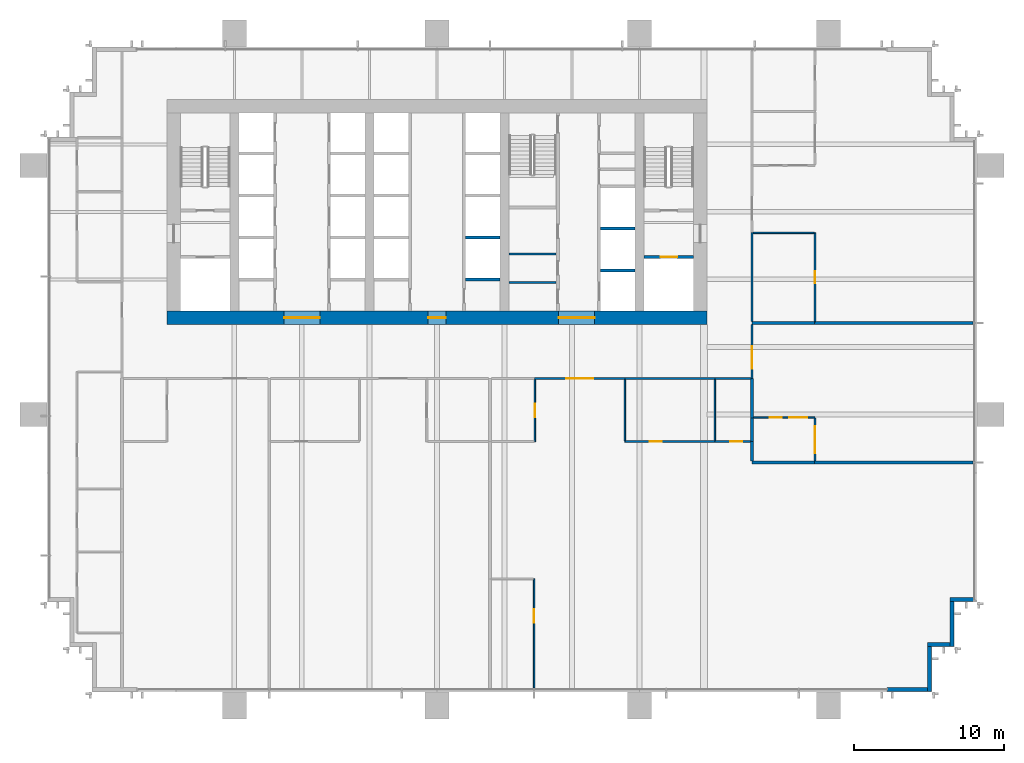
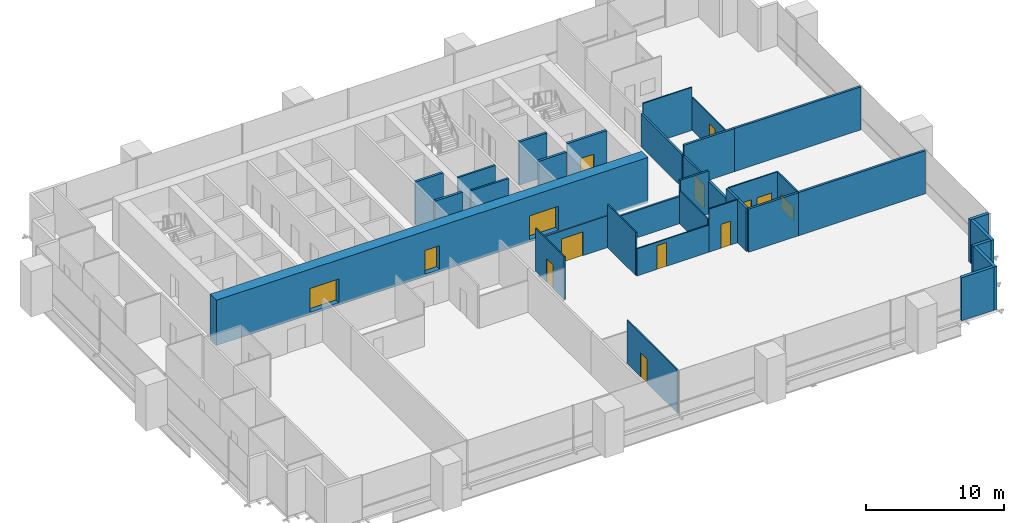
# One storey, part 13 of 17: 35 walls, 12 doors, 2 windows, 14 openings.
"""IFC4 building model written with IfcOpenShell, lengths in metres."""

from ifc_helpers import new_model, si_unit, direction, frame, frame_2d, origin, place, context, subcontext, project, spatial, rectangle, extrude, material, layer, layer_set, type_object, element, fill, save


model = new_model("IFC4")

# Units and contexts
model_context = context("Model", 3, precision=1e-05, world=origin(), true_north=direction((0.0, 1.0)))
body_context = subcontext(model_context, "Body", "Model", "MODEL_VIEW")
ifc_project = project(units=[si_unit("LENGTHUNIT", "METRE"), si_unit("AREAUNIT", "SQUARE_METRE"), si_unit("VOLUMEUNIT", "CUBIC_METRE"), si_unit("PLANEANGLEUNIT", "RADIAN"), si_unit("MASSUNIT", "GRAM", prefix="KILO")], contexts=[model_context])

# Site, building, storey
site_placement = place(None, origin())
site = spatial("IfcSite", under=ifc_project, at=site_placement, CompositionType="ELEMENT")
building_placement = place(site_placement, origin())
building = spatial("IfcBuilding", under=site, at=building_placement, Name="Rattan Terrace Tower", CompositionType="ELEMENT")
storey_placement = place(building_placement, frame((0.0, 0.0, 83.699951171875)))
storey = spatial("IfcBuildingStorey", under=building, at=storey_placement, Name="L18", CompositionType="ELEMENT", Elevation=83.699951171875)

# Walls
ifc_material_1 = material(Name="Gypsum board partition")
ifc_layer_1 = layer(ifc_material_1, 0.14990234375)
ifc_layer_set_1 = layer_set([ifc_layer_1], Name="Core partition 150")
wall_type_1 = type_object("IfcWallType", Name="Core partition 150", PredefinedType="PARTITIONING", material=ifc_layer_set_1)
for number, where, z_axis, x_axis, name in (
    (1, (4.800048828125, -4.696044921875, 0.0), (0.0, 0.0, 1.0), (1.0, 0.0, 0.0), "Toilet wall"),
    (2, (4.800048828125, -2.7919921875, 0.0), (0.0, 0.0, 1.0), (1.0, 0.0, 0.0), "Toilet wall"),
):
    element("IfcWall", number, at=place(storey_placement, frame(where, z_axis=z_axis, x_axis=x_axis)), inside=storey, type_object=wall_type_1, Name=name, PredefinedType="PARTITIONING", context=body_context, shape_type="SweptSolid", body=[
        extrude(rectangle(XDim=3.14990234375, YDim=0.14990234375, at=frame_2d((1.574951171875, 0.0))), origin(), (0.0, 0.0, 1.0), 3.800048828125),
    ])

# Wall, opening, door
ifc_material_2 = material(Name="Gypsum board partition")
ifc_layer_2 = layer(ifc_material_2, 0.199951171875)
ifc_layer_set_2 = layer_set([ifc_layer_2], Name="Core partition 200")
wall_type_2 = type_object("IfcWallType", Name="Core partition 200", PredefinedType="PARTITIONING", material=ifc_layer_set_2)
wall_1_placement = place(storey_placement, frame((13.800048828125, -3.0, 0.0), z_axis=(0.0, 0.0, 1.0), x_axis=(1.0, 0.0, 0.0)))
wall_1 = element("IfcWall", 3, at=wall_1_placement, inside=storey, type_object=wall_type_2, Name="Fire-fighting lobby wall", PredefinedType="PARTITIONING", context=body_context, shape_type="SweptSolid", body=[
    extrude(rectangle(XDim=3.300048828125, YDim=0.199951171875, at=frame_2d((1.64990234375, 0.0))), origin(), (0.0, 0.0, 1.0), 3.800048828125),
])
opening_1_placement = place(wall_1_placement, frame((1.10009765625, 0.0, 0.0)))
opening_1 = element("IfcOpeningElement", 4, at=opening_1_placement, cuts=wall_1, Name="Opening L18-LD-FF2", PredefinedType="OPENING", context=body_context, shape_type="SweptSolid", body=[
    extrude(rectangle(XDim=1.10009765625, YDim=2.10009765625, at=frame_2d((0.550048828125, 1.050048828125))), frame((0.0, 0.110595703125, 0.0), z_axis=(0.0, -1.0, 0.0), x_axis=(1.0, 0.0, 0.0)), (0.0, 0.0, 1.0), 0.220947265625),
])
ifc_material_3 = material(Name="Brushed stainless landing door panel")
door_type_1 = type_object("IfcDoorType", Name="Core lift landing door 1100", OperationType="DOUBLE_DOOR_SLIDING", PredefinedType="DOOR", material=ifc_material_3)
door_1_placement = place(opening_1_placement, origin())
door_1 = element("IfcDoor", 5, at=door_1_placement, inside=storey, type_object=door_type_1, Name="Door L18-LD-FF2", OperationType="DOUBLE_DOOR_SLIDING", OverallHeight=2.10009765625, OverallWidth=1.10009765625, PredefinedType="DOOR", context=body_context, shape_type="SweptSolid", body=[
    extrude(rectangle(XDim=1.10009765625, YDim=2.10009765625, at=frame_2d((0.550048828125, 1.050048828125))), frame((0.0, 0.02490234375, 0.0), z_axis=(0.0, -1.0, 0.0), x_axis=(1.0, 0.0, 0.0)), (0.0, 0.0, 1.0), 0.050048828125),
])
fill(opening_1, door_1)

# Wall, openings, doors
ifc_material_4 = material(Name="Concrete C70/85", Category="concrete")
ifc_layer_3 = layer(ifc_material_4, 0.89990234375)
ifc_layer_set_3 = layer_set([ifc_layer_3], Name="Core ring wall 900 C70/85")
wall_type_3 = type_object("IfcWallType", Name="Core ring wall 900 C70/85", PredefinedType="SHEAR", material=ifc_layer_set_3)
wall_2_placement = place(storey_placement, frame((-18.0, -7.050048828125, -0.199951171875), z_axis=(0.0, 0.0, 1.0), x_axis=(1.0, 0.0, 0.0)))
wall_2 = element("IfcWall", 6, at=wall_2_placement, inside=storey, type_object=wall_type_3, Name="Rear core wall south", PredefinedType="SHEAR", context=body_context, shape_type="SweptSolid", body=[
    extrude(rectangle(XDim=36.0, YDim=0.89990234375, at=frame_2d((18.0, 0.0))), origin(), (0.0, 0.0, 1.0), 4.0),
])
opening_2_placement = place(wall_2_placement, frame((7.800048828125, 0.0, 0.199951171875)))
opening_2 = element("IfcOpeningElement", 7, at=opening_2_placement, cuts=wall_2, Name="Opening L18-D007", PredefinedType="OPENING", context=body_context, shape_type="SweptSolid", body=[
    extrude(rectangle(XDim=2.39990234375, YDim=2.10009765625, at=frame_2d((1.199951171875, 1.050048828125))), frame((0.0, 0.46044921875, 0.0), z_axis=(0.0, -1.0, 0.0), x_axis=(1.0, 0.0, 0.0)), (0.0, 0.0, 1.0), 0.9208984375),
])
opening_3_placement = place(wall_2_placement, frame((17.39990234375, 0.0, 0.199951171875)))
opening_3 = element("IfcOpeningElement", 8, at=opening_3_placement, cuts=wall_2, Name="Opening L18-D010", PredefinedType="OPENING", context=body_context, shape_type="SweptSolid", body=[
    extrude(rectangle(XDim=1.199951171875, YDim=2.10009765625, at=frame_2d((0.60009765625, 1.050048828125))), frame((0.0, 0.46044921875, 0.0), z_axis=(0.0, -1.0, 0.0), x_axis=(1.0, 0.0, 0.0)), (0.0, 0.0, 1.0), 0.9208984375),
])
opening_4_placement = place(wall_2_placement, frame((26.10009765625, 0.0, 0.199951171875)))
opening_4 = element("IfcOpeningElement", 9, at=opening_4_placement, cuts=wall_2, Name="Opening L18-D015", PredefinedType="OPENING", context=body_context, shape_type="SweptSolid", body=[
    extrude(rectangle(XDim=2.39990234375, YDim=2.10009765625, at=frame_2d((1.199951171875, 1.050048828125))), frame((0.0, 0.46044921875, 0.0), z_axis=(0.0, -1.0, 0.0), x_axis=(1.0, 0.0, 0.0)), (0.0, 0.0, 1.0), 0.9208984375),
])
ifc_material_5 = material(Name="Hollow-metal fire door leaf")
door_type_2 = type_object("IfcDoorType", Name="Core lift lobby door 2400", OperationType="NOTDEFINED", PredefinedType="DOOR", material=ifc_material_5)
door_2_placement = place(opening_2_placement, origin())
door_2 = element("IfcDoor", 10, at=door_2_placement, inside=storey, type_object=door_type_2, Name="Door L18-D007", OperationType="DOUBLE_DOOR_DOUBLE_SWING", OverallHeight=2.10009765625, OverallWidth=2.39990234375, PredefinedType="DOOR", context=body_context, shape_type="SweptSolid", body=[
    extrude(rectangle(XDim=2.39990234375, YDim=2.10009765625, at=frame_2d((1.199951171875, 1.050048828125))), frame((0.0, 0.02490234375, 0.0), z_axis=(0.0, -1.0, 0.0), x_axis=(1.0, 0.0, 0.0)), (0.0, 0.0, 1.0), 0.050048828125),
])
fill(opening_2, door_2)
door_3_placement = place(opening_4_placement, origin())
door_3 = element("IfcDoor", 11, at=door_3_placement, inside=storey, type_object=door_type_2, Name="Door L18-D015", OperationType="DOUBLE_DOOR_DOUBLE_SWING", OverallHeight=2.10009765625, OverallWidth=2.39990234375, PredefinedType="DOOR", context=body_context, shape_type="SweptSolid", body=[
    extrude(rectangle(XDim=2.39990234375, YDim=2.10009765625, at=frame_2d((1.199951171875, 1.050048828125))), frame((0.0, 0.02490234375, 0.0), z_axis=(0.0, -1.0, 0.0), x_axis=(1.0, 0.0, 0.0)), (0.0, 0.0, 1.0), 0.050048828125),
])
fill(opening_4, door_3)
ifc_material_6 = material(Name="Hollow-metal fire door leaf")
door_type_3 = type_object("IfcDoorType", Name="Core riser door 1200", OperationType="NOTDEFINED", PredefinedType="DOOR", material=ifc_material_6)
door_4_placement = place(opening_3_placement, origin())
door_4 = element("IfcDoor", 12, at=door_4_placement, inside=storey, type_object=door_type_3, Name="Door L18-D010", OperationType="SINGLE_SWING_RIGHT", OverallHeight=2.10009765625, OverallWidth=1.199951171875, PredefinedType="DOOR", context=body_context, shape_type="SweptSolid", body=[
    extrude(rectangle(XDim=1.199951171875, YDim=2.10009765625, at=frame_2d((0.60009765625, 1.050048828125))), frame((0.0, 0.02490234375, 0.0), z_axis=(0.0, -1.0, 0.0), x_axis=(1.0, 0.0, 0.0)), (0.0, 0.0, 1.0), 0.050048828125),
])
fill(opening_3, door_4)

# Walls
ifc_material_7 = material(Name="Insulated aluminium-clad stud wall", Category="aluminium")
ifc_layer_4 = layer(ifc_material_7, 0.25)
ifc_layer_set_4 = layer_set([ifc_layer_4], Name="Facade Riser Wall 250")
wall_type_4 = type_object("IfcWallType", Name="Facade Riser Wall 250", PredefinedType="SOLIDWALL", material=ifc_layer_set_4)
wall_3_placement = place(storey_placement, frame((30.0, -31.830078125, 0.0), z_axis=(0.0, 0.0, 1.0), x_axis=(1.0, 0.0, 0.0)))
element("IfcWall", 13, at=wall_3_placement, inside=storey, type_object=wall_type_4, Name="Riser wall L18-1", PredefinedType="SOLIDWALL", context=body_context, shape_type="SweptSolid", body=[
    extrude(rectangle(XDim=2.705078125, YDim=0.25, at=frame_2d((1.3525390625, 0.0))), origin(), (0.0, 0.0, 1.0), 3.800048828125),
])
wall_4_placement = place(storey_placement, frame((32.830078125, -31.955078125, 0.0), z_axis=(0.0, 0.0, 1.0), x_axis=(0.0, 1.0, 0.0)))
element("IfcWall", 14, at=wall_4_placement, inside=storey, type_object=wall_type_4, Name="Riser wall L18-2", PredefinedType="SOLIDWALL", context=body_context, shape_type="SweptSolid", body=[
    extrude(rectangle(XDim=3.0, YDim=0.25, at=frame_2d((1.5, 0.0))), origin(), (0.0, 0.0, 1.0), 3.800048828125),
])
wall_5_placement = place(storey_placement, frame((32.705078125, -28.830078125, 0.0), z_axis=(0.0, 0.0, 1.0), x_axis=(1.0, 0.0, 0.0)))
element("IfcWall", 15, at=wall_5_placement, inside=storey, type_object=wall_type_4, Name="Riser wall L18-3", PredefinedType="SOLIDWALL", context=body_context, shape_type="SweptSolid", body=[
    extrude(rectangle(XDim=1.5, YDim=0.25, at=frame_2d((0.75, 0.0))), origin(), (0.0, 0.0, 1.0), 3.800048828125),
])
wall_6_placement = place(storey_placement, frame((34.330078125, -28.955078125, 0.0), z_axis=(0.0, 0.0, 1.0), x_axis=(0.0, 1.0, 0.0)))
element("IfcWall", 16, at=wall_6_placement, inside=storey, type_object=wall_type_4, Name="Riser wall L18-4", PredefinedType="SOLIDWALL", context=body_context, shape_type="SweptSolid", body=[
    extrude(rectangle(XDim=3.0, YDim=0.25, at=frame_2d((1.5, 0.0))), origin(), (0.0, 0.0, 1.0), 3.800048828125),
])
wall_7_placement = place(storey_placement, frame((34.205078125, -25.830078125, 0.0), z_axis=(0.0, 0.0, 1.0), x_axis=(1.0, 0.0, 0.0)))
element("IfcWall", 17, at=wall_7_placement, inside=storey, type_object=wall_type_4, Name="Riser wall L18-5", PredefinedType="SOLIDWALL", context=body_context, shape_type="SweptSolid", body=[
    extrude(rectangle(XDim=1.544921875, YDim=0.25, at=frame_2d((0.7724609375, 0.0))), origin(), (0.0, 0.0, 1.0), 3.800048828125),
])
ifc_material_8 = material(Name="Double steel stud acoustic partition, gypsum board, mineral wool, fire rated", Category="steel")
ifc_layer_5 = layer(ifc_material_8, 0.179931640625)
ifc_layer_set_5 = layer_set([ifc_layer_5], Name="Floors Acoustic Party Wall 180")
wall_type_5 = type_object("IfcWallType", Name="Floors Acoustic Party Wall 180", PredefinedType="PARTITIONING", material=ifc_layer_set_5)
wall_8_placement = place(storey_placement, frame((25.179931640625, -16.699951171875, 0.0), z_axis=(0.0, 0.0, 1.0), x_axis=(1.0, 0.0, 0.0)))
element("IfcWall", 18, at=wall_8_placement, inside=storey, type_object=wall_type_5, Name="pt-L18-055", PredefinedType="PARTITIONING", context=body_context, shape_type="SweptSolid", body=[
    extrude(rectangle(XDim=10.56005859375, YDim=0.179931640625, at=frame_2d((5.280029296875, 0.0))), origin(), (0.0, 0.0, 1.0), 3.800048828125),
])
wall_9_placement = place(storey_placement, frame((20.9990234375, -15.300048828125, 0.0), z_axis=(0.0, 0.0, 1.0), x_axis=(0.0, -1.0, 0.0)))
element("IfcWall", 19, at=wall_9_placement, inside=storey, type_object=wall_type_5, Name="pt-L18-056", PredefinedType="PARTITIONING", context=body_context, shape_type="SweptSolid", body=[
    extrude(rectangle(XDim=1.31005859375, YDim=0.179931640625, at=frame_2d((0.655029296875, 0.0))), origin(), (0.0, 0.0, 1.0), 3.800048828125),
])
wall_10_placement = place(storey_placement, frame((21.0, -16.699951171875, 0.0), z_axis=(0.0, 0.0, 1.0), x_axis=(1.0, 0.0, 0.0)))
element("IfcWall", 20, at=wall_10_placement, inside=storey, type_object=wall_type_5, Name="pt-L18-057", PredefinedType="PARTITIONING", context=body_context, shape_type="SweptSolid", body=[
    extrude(rectangle(XDim=4.179931640625, YDim=0.179931640625, at=frame_2d((2.08984375, 0.0))), origin(), (0.0, 0.0, 1.0), 3.800048828125),
])
wall_11_placement = place(storey_placement, frame((21.0, -11.10009765625, 0.0), z_axis=(0.0, 0.0, 1.0), x_axis=(0.0, -1.0, 0.0)))
element("IfcWall", 21, at=wall_11_placement, inside=storey, type_object=wall_type_5, Name="pt-L18-059", PredefinedType="PARTITIONING", context=body_context, shape_type="SweptSolid", body=[
    extrude(rectangle(XDim=2.619873046875, YDim=0.179931640625, at=frame_2d((1.31005859375, 0.0))), origin(), (0.0, 0.0, 1.0), 2.900146484375),
])
wall_12_placement = place(storey_placement, frame((21.0, -13.719970703125, 0.0), z_axis=(0.0, 0.0, 1.0), x_axis=(0.0, -1.0, 0.0)))
element("IfcWall", 22, at=wall_12_placement, inside=storey, type_object=wall_type_5, Name="pt-L18-060", PredefinedType="PARTITIONING", context=body_context, shape_type="SweptSolid", body=[
    extrude(rectangle(XDim=1.580078125, YDim=0.179931640625, at=frame_2d((0.7900390625, 0.0))), origin(), (0.0, 0.0, 1.0), 3.800048828125),
])
wall_13_placement = place(storey_placement, frame((25.179931640625, -7.39990234375, 0.0), z_axis=(0.0, 0.0, 1.0), x_axis=(1.0, 0.0, 0.0)))
element("IfcWall", 23, at=wall_13_placement, inside=storey, type_object=wall_type_5, Name="pt-L18-063", PredefinedType="PARTITIONING", context=body_context, shape_type="SweptSolid", body=[
    extrude(rectangle(XDim=10.56005859375, YDim=0.179931640625, at=frame_2d((5.280029296875, 0.0))), origin(), (0.0, 0.0, 1.0), 3.800048828125),
])
wall_14_placement = place(storey_placement, frame((21.0, -7.39990234375, 0.0), z_axis=(0.0, 0.0, 1.0), x_axis=(1.0, 0.0, 0.0)))
element("IfcWall", 24, at=wall_14_placement, inside=storey, type_object=wall_type_5, Name="pt-L18-064", PredefinedType="PARTITIONING", context=body_context, shape_type="SweptSolid", body=[
    extrude(rectangle(XDim=4.179931640625, YDim=0.179931640625, at=frame_2d((2.08984375, 0.0))), origin(), (0.0, 0.0, 1.0), 3.800048828125),
])

# Wall, opening, door
ifc_material_9 = material(Name="Gypsum board partition on steel studs", Category="steel")
ifc_layer_6 = layer(ifc_material_9, 0.10009765625)
ifc_layer_set_6 = layer_set([ifc_layer_6], Name="Floors Partition 100")
wall_type_6 = type_object("IfcWallType", Name="Floors Partition 100", PredefinedType="PARTITIONING", material=ifc_layer_set_6)
wall_15_placement = place(storey_placement, frame((6.470947265625, -31.739990234375, 0.0), z_axis=(0.0, 0.0, 1.0), x_axis=(0.0, 1.0, 0.0)))
wall_15 = element("IfcWall", 25, at=wall_15_placement, inside=storey, type_object=wall_type_6, Name="pt-L18-049", PredefinedType="PARTITIONING", context=body_context, shape_type="SweptSolid", body=[
    extrude(rectangle(XDim=7.280029296875, YDim=0.10009765625, at=frame_2d((3.64013671875, 0.0))), origin(), (0.0, 0.0, 1.0), 3.800048828125),
])
opening_5_placement = place(wall_15_placement, frame((4.365966796875, 0.0, 0.0)))
opening_5 = element("IfcOpeningElement", 26, at=opening_5_placement, cuts=wall_15, Name="Opening L18-D112", PredefinedType="OPENING", context=body_context, shape_type="SweptSolid", body=[
    extrude(rectangle(XDim=0.89990234375, YDim=2.10009765625, at=frame_2d((0.449951171875, 1.050048828125))), frame((0.0, 0.060546875, 0.0), z_axis=(0.0, -1.0, 0.0), x_axis=(1.0, 0.0, 0.0)), (0.0, 0.0, 1.0), 0.12109375),
])
ifc_material_10 = material(Name="Solid core timber door, painted", Category="wood")
door_type_4 = type_object("IfcDoorType", Name="Floors Door 900x2100", OperationType="NOTDEFINED", PredefinedType="DOOR", material=ifc_material_10)
door_5_placement = place(opening_5_placement, origin())
door_5 = element("IfcDoor", 27, at=door_5_placement, inside=storey, type_object=door_type_4, Name="d-L18-112", OperationType="SINGLE_SWING_RIGHT", OverallHeight=2.10009765625, OverallWidth=0.89990234375, PredefinedType="DOOR", context=body_context, shape_type="SweptSolid", body=[
    extrude(rectangle(XDim=0.89990234375, YDim=2.10009765625, at=frame_2d((0.449951171875, 1.050048828125))), frame((0.0, 0.02490234375, 0.0), z_axis=(0.0, -1.0, 0.0), x_axis=(1.0, 0.0, 0.0)), (0.0, 0.0, 1.0), 0.050048828125),
])
fill(opening_5, door_5)

wall_16_placement = place(storey_placement, frame((6.529052734375, -15.300048828125, 0.0), z_axis=(0.0, 0.0, 1.0), x_axis=(0.0, 1.0, 0.0)))
wall_16 = element("IfcWall", 28, at=wall_16_placement, inside=storey, type_object=wall_type_6, Name="pt-L18-051", PredefinedType="PARTITIONING", context=body_context, shape_type="SweptSolid", body=[
    extrude(rectangle(XDim=4.125, YDim=0.10009765625, at=frame_2d((2.0625, 0.0))), origin(), (0.0, 0.0, 1.0), 3.800048828125),
])
opening_6_placement = place(wall_16_placement, frame((1.613037109375, 0.0, 0.0)))
opening_6 = element("IfcOpeningElement", 29, at=opening_6_placement, cuts=wall_16, Name="Opening L18-D113", PredefinedType="OPENING", context=body_context, shape_type="SweptSolid", body=[
    extrude(rectangle(XDim=0.89990234375, YDim=2.10009765625, at=frame_2d((0.449951171875, 1.050048828125))), frame((0.0, 0.060546875, 0.0), z_axis=(0.0, -1.0, 0.0), x_axis=(1.0, 0.0, 0.0)), (0.0, 0.0, 1.0), 0.12109375),
])
door_6_placement = place(opening_6_placement, origin())
door_6 = element("IfcDoor", 30, at=door_6_placement, inside=storey, type_object=door_type_4, Name="d-L18-113", OperationType="SINGLE_SWING_RIGHT", OverallHeight=2.10009765625, OverallWidth=0.89990234375, PredefinedType="DOOR", context=body_context, shape_type="SweptSolid", body=[
    extrude(rectangle(XDim=0.89990234375, YDim=2.10009765625, at=frame_2d((0.449951171875, 1.050048828125))), frame((0.0, 0.02490234375, 0.0), z_axis=(0.0, -1.0, 0.0), x_axis=(1.0, 0.0, 0.0)), (0.0, 0.0, 1.0), 0.050048828125),
])
fill(opening_6, door_6)

# Wall
wall_17_placement = place(storey_placement, frame((12.529052734375, -11.175048828125, 0.0), z_axis=(0.0, 0.0, 1.0), x_axis=(0.0, -1.0, 0.0)))
element("IfcWall", 31, at=wall_17_placement, inside=storey, type_object=wall_type_6, Name="pt-L18-052", PredefinedType="PARTITIONING", context=body_context, shape_type="SweptSolid", body=[
    extrude(rectangle(XDim=4.074951171875, YDim=0.10009765625, at=frame_2d((2.03759765625, 0.0))), origin(), (0.0, 0.0, 1.0), 3.800048828125),
])

# Wall, opening, door
wall_18_placement = place(storey_placement, frame((12.529052734375, -15.300048828125, 0.0), z_axis=(0.0, 0.0, 1.0), x_axis=(1.0, 0.0, 0.0)))
wall_18 = element("IfcWall", 32, at=wall_18_placement, inside=storey, type_object=wall_type_6, Name="pt-L18-053", PredefinedType="PARTITIONING", context=body_context, shape_type="SweptSolid", body=[
    extrude(rectangle(XDim=6.02001953125, YDim=0.10009765625, at=frame_2d((3.010009765625, 0.0))), origin(), (0.0, 0.0, 1.0), 2.400146484375),
])
opening_7_placement = place(wall_18_placement, frame((1.666015625, 0.0, 0.0)))
opening_7 = element("IfcOpeningElement", 33, at=opening_7_placement, cuts=wall_18, Name="Opening L18-D114", PredefinedType="OPENING", context=body_context, shape_type="SweptSolid", body=[
    extrude(rectangle(XDim=0.800048828125, YDim=2.10009765625, at=frame_2d((0.39990234375, 1.050048828125))), frame((0.0, 0.060546875, 0.0), z_axis=(0.0, -1.0, 0.0), x_axis=(1.0, 0.0, 0.0)), (0.0, 0.0, 1.0), 0.12109375),
])
ifc_material_11 = material(Name="Solid core timber door, painted", Category="wood")
door_type_5 = type_object("IfcDoorType", Name="Floors Store Door 800x2100", OperationType="NOTDEFINED", PredefinedType="DOOR", material=ifc_material_11)
door_7_placement = place(opening_7_placement, origin())
door_7 = element("IfcDoor", 34, at=door_7_placement, inside=storey, type_object=door_type_5, Name="d-L18-114", OperationType="SINGLE_SWING_LEFT", OverallHeight=2.10009765625, OverallWidth=0.800048828125, PredefinedType="DOOR", context=body_context, shape_type="SweptSolid", body=[
    extrude(rectangle(XDim=0.800048828125, YDim=2.10009765625, at=frame_2d((0.39990234375, 1.050048828125))), frame((0.0, 0.02490234375, 0.0), z_axis=(0.0, -1.0, 0.0), x_axis=(1.0, 0.0, 0.0)), (0.0, 0.0, 1.0), 0.050048828125),
])
fill(opening_7, door_7)

wall_19_placement = place(storey_placement, frame((18.549072265625, -15.300048828125, 0.0), z_axis=(0.0, 0.0, 1.0), x_axis=(1.0, 0.0, 0.0)))
wall_19 = element("IfcWall", 35, at=wall_19_placement, inside=storey, type_object=wall_type_6, Name="pt-L18-054", PredefinedType="PARTITIONING", context=body_context, shape_type="SweptSolid", body=[
    extrude(rectangle(XDim=2.36083984375, YDim=0.10009765625, at=frame_2d((1.180419921875, 0.0))), origin(), (0.0, 0.0, 1.0), 3.800048828125),
])
opening_8_placement = place(wall_19_placement, frame((0.992919921875, 0.0, 0.0)))
opening_8 = element("IfcOpeningElement", 36, at=opening_8_placement, cuts=wall_19, Name="Opening L18-D115", PredefinedType="OPENING", context=body_context, shape_type="SweptSolid", body=[
    extrude(rectangle(XDim=0.800048828125, YDim=2.10009765625, at=frame_2d((0.39990234375, 1.050048828125))), frame((0.0, 0.060546875, 0.0), z_axis=(0.0, -1.0, 0.0), x_axis=(1.0, 0.0, 0.0)), (0.0, 0.0, 1.0), 0.12109375),
])
door_8_placement = place(opening_8_placement, origin())
door_8 = element("IfcDoor", 37, at=door_8_placement, inside=storey, type_object=door_type_5, Name="d-L18-115", OperationType="SINGLE_SWING_RIGHT", OverallHeight=2.10009765625, OverallWidth=0.800048828125, PredefinedType="DOOR", context=body_context, shape_type="SweptSolid", body=[
    extrude(rectangle(XDim=0.800048828125, YDim=2.10009765625, at=frame_2d((0.39990234375, 1.050048828125))), frame((0.0, 0.02490234375, 0.0), z_axis=(0.0, -1.0, 0.0), x_axis=(1.0, 0.0, 0.0)), (0.0, 0.0, 1.0), 0.050048828125),
])
fill(opening_8, door_8)

# Wall
wall_20_placement = place(storey_placement, frame((18.529052734375, -11.175048828125, 0.0), z_axis=(0.0, 0.0, 1.0), x_axis=(0.0, -1.0, 0.0)))
element("IfcWall", 38, at=wall_20_placement, inside=storey, type_object=wall_type_6, Name="pt-L18-058", PredefinedType="PARTITIONING", context=body_context, shape_type="SweptSolid", body=[
    extrude(rectangle(XDim=4.074951171875, YDim=0.10009765625, at=frame_2d((2.03759765625, 0.0))), origin(), (0.0, 0.0, 1.0), 2.900146484375),
])

# Wall, openings, door, window
wall_21_placement = place(storey_placement, frame((25.199951171875, -13.699951171875, 0.0), z_axis=(0.0, 0.0, 1.0), x_axis=(-1.0, 0.0, 0.0)))
wall_21 = element("IfcWall", 39, at=wall_21_placement, inside=storey, type_object=wall_type_6, Name="pt-L18-061", PredefinedType="PARTITIONING", context=body_context, shape_type="SweptSolid", body=[
    extrude(rectangle(XDim=4.10986328125, YDim=0.10009765625, at=frame_2d((2.054931640625, 0.0))), origin(), (0.0, 0.0, 1.0), 3.800048828125),
])
opening_9_placement = place(wall_21_placement, frame((2.217041015625, 0.0, 0.0)))
opening_9 = element("IfcOpeningElement", 40, at=opening_9_placement, cuts=wall_21, Name="Opening L18-D117", PredefinedType="OPENING", context=body_context, shape_type="SweptSolid", body=[
    extrude(rectangle(XDim=0.800048828125, YDim=2.10009765625, at=frame_2d((0.39990234375, 1.050048828125))), frame((0.0, 0.060546875, 0.0), z_axis=(0.0, -1.0, 0.0), x_axis=(1.0, 0.0, 0.0)), (0.0, 0.0, 1.0), 0.12109375),
])
opening_10_placement = place(wall_21_placement, frame((0.532958984375, 0.0, 0.89990234375)))
opening_10 = element("IfcOpeningElement", 41, at=opening_10_placement, cuts=wall_21, Name="Opening L18-W100", PredefinedType="OPENING", context=body_context, shape_type="SweptSolid", body=[
    extrude(rectangle(XDim=1.199951171875, YDim=1.199951171875, at=frame_2d((0.60009765625, 0.60009765625))), frame((0.0, 0.060546875, 0.0), z_axis=(0.0, -1.0, 0.0), x_axis=(1.0, 0.0, 0.0)), (0.0, 0.0, 1.0), 0.12109375),
])
door_9_placement = place(opening_9_placement, origin())
door_9 = element("IfcDoor", 42, at=door_9_placement, inside=storey, type_object=door_type_5, Name="d-L18-117", OperationType="SINGLE_SWING_RIGHT", OverallHeight=2.10009765625, OverallWidth=0.800048828125, PredefinedType="DOOR", context=body_context, shape_type="SweptSolid", body=[
    extrude(rectangle(XDim=0.800048828125, YDim=2.10009765625, at=frame_2d((0.39990234375, 1.050048828125))), frame((0.0, 0.02490234375, 0.0), z_axis=(0.0, -1.0, 0.0), x_axis=(1.0, 0.0, 0.0)), (0.0, 0.0, 1.0), 0.050048828125),
])
fill(opening_9, door_9)
ifc_material_12 = material(Name="Glass, clear, fixed in aluminium frame", Category="aluminium")
window_type_1 = type_object("IfcWindowType", Name="Interior Vision Window 1200x1200", PartitioningType="SINGLE_PANEL", PredefinedType="WINDOW", material=ifc_material_12)
window_1_placement = place(opening_10_placement, origin())
window_1 = element("IfcWindow", 43, at=window_1_placement, inside=storey, type_object=window_type_1, Name="w-L18-100", OverallHeight=1.199951171875, OverallWidth=1.199951171875, PartitioningType="SINGLE_PANEL", PredefinedType="WINDOW", context=body_context, shape_type="SweptSolid", body=[
    extrude(rectangle(XDim=1.199951171875, YDim=1.199951171875, at=frame_2d((0.60009765625, 0.60009765625))), frame((0.0, 0.030029296875, 0.0), z_axis=(0.0, -1.0, 0.0), x_axis=(1.0, 0.0, 0.0)), (0.0, 0.0, 1.0), 0.06005859375),
])
fill(opening_10, window_1)

# Wall, opening, window
wall_22_placement = place(storey_placement, frame((25.199951171875, -16.610107421875, 0.0), z_axis=(0.0, 0.0, 1.0), x_axis=(0.0, 1.0, 0.0)))
wall_22 = element("IfcWall", 44, at=wall_22_placement, inside=storey, type_object=wall_type_6, Name="pt-L18-062", PredefinedType="PARTITIONING", context=body_context, shape_type="SweptSolid", body=[
    extrude(rectangle(XDim=2.860107421875, YDim=0.10009765625, at=frame_2d((1.43017578125, 0.0))), origin(), (0.0, 0.0, 1.0), 3.800048828125),
])
opening_11_placement = place(wall_22_placement, frame((0.530029296875, 0.0, 0.89990234375)))
opening_11 = element("IfcOpeningElement", 45, at=opening_11_placement, cuts=wall_22, Name="Opening L18-W101", PredefinedType="OPENING", context=body_context, shape_type="SweptSolid", body=[
    extrude(rectangle(XDim=1.800048828125, YDim=1.199951171875, at=frame_2d((0.89990234375, 0.60009765625))), frame((0.0, 0.060546875, 0.0), z_axis=(0.0, -1.0, 0.0), x_axis=(1.0, 0.0, 0.0)), (0.0, 0.0, 1.0), 0.12109375),
])
ifc_material_13 = material(Name="Glass, clear, fixed in aluminium frame", Category="aluminium")
window_type_2 = type_object("IfcWindowType", Name="Interior Vision Window 1800x1200", PartitioningType="SINGLE_PANEL", PredefinedType="WINDOW", material=ifc_material_13)
window_2_placement = place(opening_11_placement, origin())
window_2 = element("IfcWindow", 46, at=window_2_placement, inside=storey, type_object=window_type_2, Name="w-L18-101", OverallHeight=1.199951171875, OverallWidth=1.800048828125, PartitioningType="SINGLE_PANEL", PredefinedType="WINDOW", context=body_context, shape_type="SweptSolid", body=[
    extrude(rectangle(XDim=1.800048828125, YDim=1.199951171875, at=frame_2d((0.89990234375, 0.60009765625))), frame((0.0, 0.030029296875, 0.0), z_axis=(0.0, -1.0, 0.0), x_axis=(1.0, 0.0, 0.0)), (0.0, 0.0, 1.0), 0.06005859375),
])
fill(opening_11, window_2)

# Wall
wall_23_placement = place(storey_placement, frame((25.14990234375, -1.39990234375, 0.0), z_axis=(0.0, 0.0, 1.0), x_axis=(-1.0, 0.0, 0.0)))
element("IfcWall", 47, at=wall_23_placement, inside=storey, type_object=wall_type_6, Name="pt-L18-065", PredefinedType="PARTITIONING", context=body_context, shape_type="SweptSolid", body=[
    extrude(rectangle(XDim=4.074951171875, YDim=0.10009765625, at=frame_2d((2.03759765625, 0.0))), origin(), (0.0, 0.0, 1.0), 3.800048828125),
])

# Wall, opening, door
wall_24_placement = place(storey_placement, frame((25.199951171875, -7.31005859375, 0.0), z_axis=(0.0, 0.0, 1.0), x_axis=(0.0, 1.0, 0.0)))
wall_24 = element("IfcWall", 48, at=wall_24_placement, inside=storey, type_object=wall_type_6, Name="pt-L18-066", PredefinedType="PARTITIONING", context=body_context, shape_type="SweptSolid", body=[
    extrude(rectangle(XDim=5.91015625, YDim=0.10009765625, at=frame_2d((2.955078125, 0.0))), origin(), (0.0, 0.0, 1.0), 2.900146484375),
])
opening_12_placement = place(wall_24_placement, frame((2.554931640625, 0.0, 0.0)))
opening_12 = element("IfcOpeningElement", 49, at=opening_12_placement, cuts=wall_24, Name="Opening L18-D119", PredefinedType="OPENING", context=body_context, shape_type="SweptSolid", body=[
    extrude(rectangle(XDim=0.800048828125, YDim=2.10009765625, at=frame_2d((0.39990234375, 1.050048828125))), frame((0.0, 0.060546875, 0.0), z_axis=(0.0, -1.0, 0.0), x_axis=(1.0, 0.0, 0.0)), (0.0, 0.0, 1.0), 0.12109375),
])
door_10_placement = place(opening_12_placement, origin())
door_10 = element("IfcDoor", 50, at=door_10_placement, inside=storey, type_object=door_type_5, Name="d-L18-119", OperationType="SINGLE_SWING_RIGHT", OverallHeight=2.10009765625, OverallWidth=0.800048828125, PredefinedType="DOOR", context=body_context, shape_type="SweptSolid", body=[
    extrude(rectangle(XDim=0.800048828125, YDim=2.10009765625, at=frame_2d((0.39990234375, 1.050048828125))), frame((0.0, 0.02490234375, 0.0), z_axis=(0.0, -1.0, 0.0), x_axis=(1.0, 0.0, 0.0)), (0.0, 0.0, 1.0), 0.050048828125),
])
fill(opening_12, door_10)

ifc_material_14 = material(Name="Gypsum board partition on steel studs, fire rated", Category="steel")
ifc_layer_7 = layer(ifc_material_14, 0.14990234375)
ifc_layer_set_7 = layer_set([ifc_layer_7], Name="Floors Tenancy Wall 150")
wall_type_7 = type_object("IfcWallType", Name="Floors Tenancy Wall 150", PredefinedType="PARTITIONING", material=ifc_layer_set_7)
wall_25_placement = place(storey_placement, frame((12.549072265625, -11.10009765625, 0.0), z_axis=(0.0, 0.0, 1.0), x_axis=(-1.0, 0.0, 0.0)))
wall_25 = element("IfcWall", 51, at=wall_25_placement, inside=storey, type_object=wall_type_7, Name="pt-L18-011", PredefinedType="PARTITIONING", context=body_context, shape_type="SweptSolid", body=[
    extrude(rectangle(XDim=6.0400390625, YDim=0.14990234375, at=frame_2d((3.02001953125, 0.0))), origin(), (0.0, 0.0, 1.0), 2.800048828125),
])
opening_13_placement = place(wall_25_placement, frame((2.1201171875, 0.0, 0.0)))
opening_13 = element("IfcOpeningElement", 52, at=opening_13_placement, cuts=wall_25, Name="Opening L18-D111", PredefinedType="OPENING", context=body_context, shape_type="SweptSolid", body=[
    extrude(rectangle(XDim=1.800048828125, YDim=2.10009765625, at=frame_2d((0.89990234375, 1.050048828125))), frame((0.0, 0.08544921875, 0.0), z_axis=(0.0, -1.0, 0.0), x_axis=(1.0, 0.0, 0.0)), (0.0, 0.0, 1.0), 0.1708984375),
])
ifc_material_15 = material(Name="Steel fire door set", Category="steel")
door_type_6 = type_object("IfcDoorType", Name="Floors Fire Door Pair FD30S 1800x2100", OperationType="NOTDEFINED", PredefinedType="DOOR", material=ifc_material_15)
door_11_placement = place(opening_13_placement, origin())
door_11 = element("IfcDoor", 53, at=door_11_placement, inside=storey, type_object=door_type_6, Name="d-L18-111", OperationType="DOUBLE_DOOR_SINGLE_SWING", OverallHeight=2.10009765625, OverallWidth=1.800048828125, PredefinedType="DOOR", context=body_context, shape_type="SweptSolid", body=[
    extrude(rectangle(XDim=1.800048828125, YDim=2.10009765625, at=frame_2d((0.89990234375, 1.050048828125))), frame((0.0, 0.02490234375, 0.0), z_axis=(0.0, -1.0, 0.0), x_axis=(1.0, 0.0, 0.0)), (0.0, 0.0, 1.0), 0.050048828125),
])
fill(opening_13, door_11)

# Walls
wall_26_placement = place(storey_placement, frame((18.549072265625, -11.10009765625, 0.0), z_axis=(0.0, 0.0, 1.0), x_axis=(-1.0, 0.0, 0.0)))
element("IfcWall", 54, at=wall_26_placement, inside=storey, type_object=wall_type_7, Name="pt-L18-013", PredefinedType="PARTITIONING", context=body_context, shape_type="SweptSolid", body=[
    extrude(rectangle(XDim=6.0, YDim=0.14990234375, at=frame_2d((3.0, 0.0))), origin(), (0.0, 0.0, 1.0), 2.400146484375),
])
wall_27_placement = place(storey_placement, frame((20.925048828125, -11.10009765625, 0.0), z_axis=(0.0, 0.0, 1.0), x_axis=(-1.0, 0.0, 0.0)))
element("IfcWall", 55, at=wall_27_placement, inside=storey, type_object=wall_type_7, Name="pt-L18-014", PredefinedType="PARTITIONING", context=body_context, shape_type="SweptSolid", body=[
    extrude(rectangle(XDim=2.3759765625, YDim=0.14990234375, at=frame_2d((1.18798828125, 0.0))), origin(), (0.0, 0.0, 1.0), 3.800048828125),
])

# Wall, opening, door
wall_28_placement = place(storey_placement, frame((21.0, -7.489990234375, 0.0), z_axis=(0.0, 0.0, 1.0), x_axis=(0.0, -1.0, 0.0)))
wall_28 = element("IfcWall", 56, at=wall_28_placement, inside=storey, type_object=wall_type_7, Name="pt-L18-015", PredefinedType="PARTITIONING", context=body_context, shape_type="SweptSolid", body=[
    extrude(rectangle(XDim=3.610107421875, YDim=0.14990234375, at=frame_2d((1.80517578125, 0.0))), origin(), (0.0, 0.0, 1.0), 2.900146484375),
])
opening_14_placement = place(wall_28_placement, frame((1.4580078125, 0.0, 0.0)))
opening_14 = element("IfcOpeningElement", 57, at=opening_14_placement, cuts=wall_28, Name="Opening L18-D116", PredefinedType="OPENING", context=body_context, shape_type="SweptSolid", body=[
    extrude(rectangle(XDim=1.5, YDim=2.10009765625, at=frame_2d((0.75, 1.050048828125))), frame((0.0, 0.08544921875, 0.0), z_axis=(0.0, -1.0, 0.0), x_axis=(1.0, 0.0, 0.0)), (0.0, 0.0, 1.0), 0.1708984375),
])
ifc_material_16 = material(Name="Steel fire door set", Category="steel")
door_type_7 = type_object("IfcDoorType", Name="Floors Unit Door Pair FD30S 1500x2100", OperationType="NOTDEFINED", PredefinedType="DOOR", material=ifc_material_16)
door_12_placement = place(opening_14_placement, origin())
door_12 = element("IfcDoor", 58, at=door_12_placement, inside=storey, type_object=door_type_7, Name="d-L18-116", OperationType="DOUBLE_DOOR_SINGLE_SWING", OverallHeight=2.10009765625, OverallWidth=1.5, PredefinedType="DOOR", context=body_context, shape_type="SweptSolid", body=[
    extrude(rectangle(XDim=1.5, YDim=2.10009765625, at=frame_2d((0.75, 1.050048828125))), frame((0.0, 0.02490234375, 0.0), z_axis=(0.0, -1.0, 0.0), x_axis=(1.0, 0.0, 0.0)), (0.0, 0.0, 1.0), 0.050048828125),
])
fill(opening_14, door_12)

# Walls
wall_29_placement = place(storey_placement, frame((21.0, -1.3798828125, 0.0), z_axis=(0.0, 0.0, 1.0), x_axis=(0.0, -1.0, 0.0)))
element("IfcWall", 59, at=wall_29_placement, inside=storey, type_object=wall_type_7, Name="pt-L18-017", PredefinedType="PARTITIONING", context=body_context, shape_type="SweptSolid", body=[
    extrude(rectangle(XDim=5.93017578125, YDim=0.14990234375, at=frame_2d((2.965087890625, 0.0))), origin(), (0.0, 0.0, 1.0), 2.900146484375),
])
ifc_material_17 = material(Name="Gypsum shaft wall system")
ifc_layer_8 = layer(ifc_material_17, 0.199951171875)
ifc_layer_set_8 = layer_set([ifc_layer_8], Name="Lift shaft wall 200")
wall_type_8 = type_object("IfcWallType", Name="Lift shaft wall 200", PredefinedType="PARTITIONING", material=ifc_layer_set_8)
for number, where, z_axis, x_axis, name in (
    (60, (1.89990234375, -1.699951171875, 0.0), (0.0, 0.0, 1.0), (1.0, 0.0, 0.0), "Lift shaft wall"),
    (61, (1.89990234375, -4.5, 0.0), (0.0, 0.0, 1.0), (1.0, 0.0, 0.0), "Lift shaft wall"),
    (62, (10.89990234375, -3.89990234375, 0.0), (0.0, 0.0, 1.0), (1.0, 0.0, 0.0), "Lift shaft wall"),
    (63, (10.89990234375, -1.10009765625, 0.0), (0.0, 0.0, 1.0), (1.0, 0.0, 0.0), "Lift shaft wall"),
):
    element("IfcWall", number, at=place(storey_placement, frame(where, z_axis=z_axis, x_axis=x_axis)), inside=storey, type_object=wall_type_8, Name=name, PredefinedType="PARTITIONING", context=body_context, shape_type="SweptSolid", body=[
        extrude(rectangle(XDim=2.300048828125, YDim=0.199951171875, at=frame_2d((1.14990234375, 0.0))), origin(), (0.0, 0.0, 1.0), 3.800048828125),
    ])

save(model, "model.ifc")
